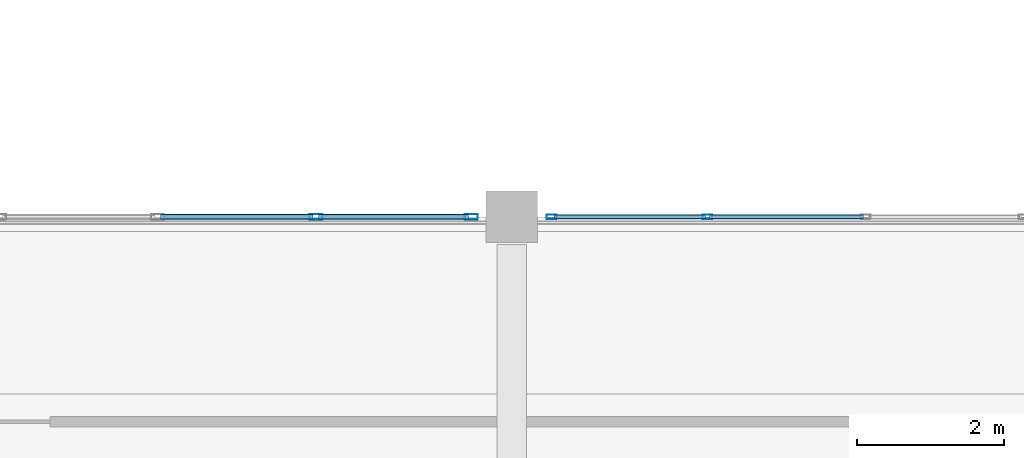
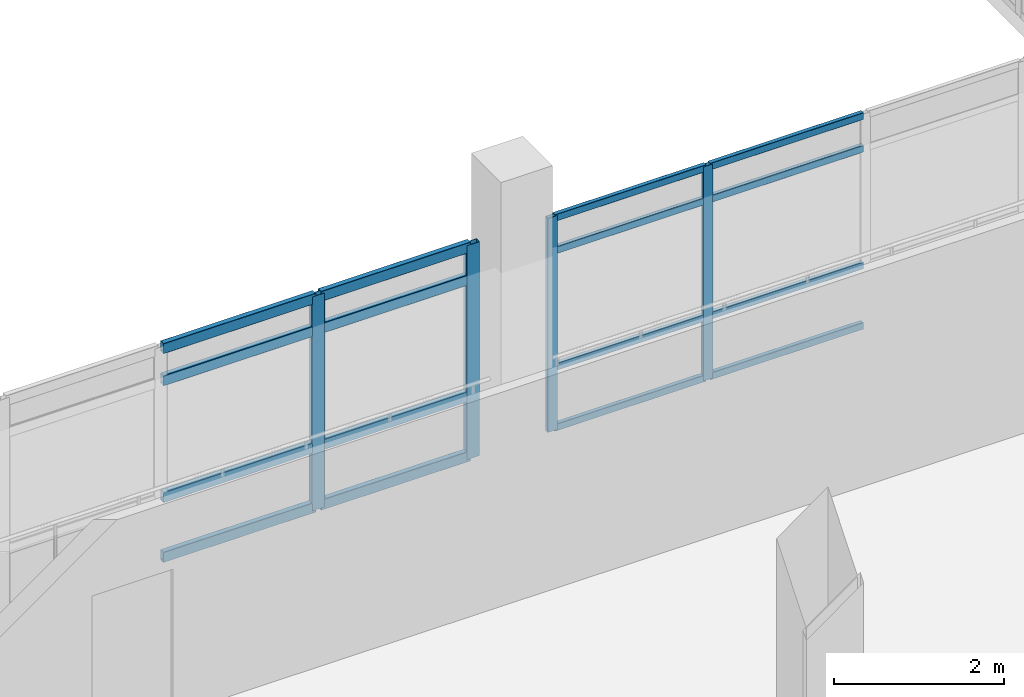
# One storey, part 40 of 134: 20 members, 2 elements without a shape of their own.
"""IFC4 building model written with IfcOpenShell, lengths in metres."""

from ifc_helpers import new_model, si_unit, direction, frame, origin, origin_2d, place, context, subcontext, project, spatial, hollow_rectangle, extrude, material, layer, layer_set, material_profile, profile_set, type_object, element, aggregate, save


model = new_model("IFC4")

# Units and contexts
model_context = context("Model", 3, precision=1e-05, world=origin(), true_north=direction((0.0, 1.0)))
body_context = subcontext(model_context, "Body", "Model", "MODEL_VIEW")
ifc_project = project(units=[si_unit("LENGTHUNIT", "METRE"), si_unit("AREAUNIT", "SQUARE_METRE"), si_unit("VOLUMEUNIT", "CUBIC_METRE"), si_unit("PLANEANGLEUNIT", "RADIAN"), si_unit("MASSUNIT", "GRAM", prefix="KILO")], contexts=[model_context])

# Site, building, storey
site_placement = place(None, origin())
site = spatial("IfcSite", under=ifc_project, at=site_placement, CompositionType="ELEMENT")
building_placement = place(site_placement, origin())
building = spatial("IfcBuilding", under=site, at=building_placement, Name="Asteropetra Specialist Clinic", CompositionType="ELEMENT")
storey_placement = place(building_placement, frame((0.0, 0.0, 8.5)))
storey = spatial("IfcBuildingStorey", under=building, at=storey_placement, Name="L02", CompositionType="ELEMENT", Elevation=8.5)

# Curtain wall, members
ifc_material_1 = material(Name="Aluminium and low-E glass", Category="aluminium")
ifc_layer_1 = layer(ifc_material_1, 0.135009765625)
ifc_layer_set_1 = layer_set([ifc_layer_1], Name="Aluminium and low-E glass")
curtain_wall_type_1 = type_object("IfcCurtainWallType", Name="CW-SYS-03", PredefinedType="USERDEFINED", material=ifc_layer_set_1)
curtain_wall_1_placement = place(storey_placement, origin())
curtain_wall_1 = element("IfcCurtainWall", 1, at=curtain_wall_1_placement, inside=storey, type_object=curtain_wall_type_1, Name="Curtain Wall CW-035", ObjectType="UNITISED CURTAIN WALL", PredefinedType="USERDEFINED")
ifc_material_2 = material(Name="Aluminium 6063-T6", Category="aluminium")
ifc_material_profile_1 = material_profile(ifc_material_2, hollow_rectangle(XDim=0.06005859375, YDim=0.135009765625, WallThickness=0.00341796875, InnerFilletRadius=0.00341796875, OuterFilletRadius=0.007080078125, at=origin_2d()), Name="MUL 135x60x3.5")
ifc_profile_set_1 = profile_set([ifc_material_profile_1], Name="Aluminium 6063-T6")
member_type_1 = type_object("IfcMemberType", Name="CWM-135x60", PredefinedType="MULLION", material=ifc_profile_set_1)
member_1_placement = place(storey_placement, frame((19.739990234375, 76.800048828125, 0.0), z_axis=(0.0, 0.0, 1.0), x_axis=(0.0, 1.0, 0.0)))
member_1 = element("IfcMember", 2, at=member_1_placement, type_object=member_type_1, Name="CW-035 mullion 1", PredefinedType="MULLION", context=body_context, shape_type="SweptSolid", body=[
    extrude(hollow_rectangle(XDim=0.06005859375, YDim=0.135009765625, WallThickness=0.00341796875, InnerFilletRadius=0.00341796875, OuterFilletRadius=0.007080078125, at=origin_2d()), origin(), (0.0, 0.0, 1.0), 3.080078125),
])
member_2_placement = place(storey_placement, frame((21.85498046875, 76.800048828125, 0.0), z_axis=(0.0, 0.0, 1.0), x_axis=(0.0, 1.0, 0.0)))
member_2 = element("IfcMember", 3, at=member_2_placement, type_object=member_type_1, Name="CW-035 mullion 2", PredefinedType="MULLION", context=body_context, shape_type="SweptSolid", body=[
    extrude(hollow_rectangle(XDim=0.06005859375, YDim=0.135009765625, WallThickness=0.00341796875, InnerFilletRadius=0.00341796875, OuterFilletRadius=0.007080078125, at=origin_2d()), origin(), (0.0, 0.0, 1.0), 3.080078125),
])

ifc_material_3 = material(Name="Aluminium and low-E glass", Category="aluminium")
ifc_layer_2 = layer(ifc_material_3, 0.14990234375)
ifc_layer_set_2 = layer_set([ifc_layer_2], Name="Aluminium and low-E glass")
curtain_wall_type_2 = type_object("IfcCurtainWallType", Name="CW-SYS-02", PredefinedType="USERDEFINED", material=ifc_layer_set_2)
curtain_wall_2_placement = place(storey_placement, origin())
curtain_wall_2 = element("IfcCurtainWall", 4, at=curtain_wall_2_placement, inside=storey, type_object=curtain_wall_type_2, Name="Curtain Wall CW-033", ObjectType="UNITISED CURTAIN WALL", PredefinedType="USERDEFINED")
ifc_material_4 = material(Name="Aluminium 6063-T6", Category="aluminium")
ifc_material_profile_2 = material_profile(ifc_material_4, hollow_rectangle(XDim=0.074951171875, YDim=0.179931640625, WallThickness=0.00390625, InnerFilletRadius=0.00390625, OuterFilletRadius=0.008056640625, at=origin_2d()), Name="MUL 180x75x4.0")
ifc_profile_set_2 = profile_set([ifc_material_profile_2], Name="Aluminium 6063-T6")
member_type_2 = type_object("IfcMemberType", Name="CWM-180x75", PredefinedType="MULLION", material=ifc_profile_set_2)
member_3_placement = place(storey_placement, frame((16.544921875, 76.800048828125, 0.0), z_axis=(0.0, 0.0, 1.0), x_axis=(0.0, 1.0, 0.0)))
member_3 = element("IfcMember", 5, at=member_3_placement, type_object=member_type_2, Name="CW-033 mullion 4", PredefinedType="MULLION", context=body_context, shape_type="SweptSolid", body=[
    extrude(hollow_rectangle(XDim=0.074951171875, YDim=0.179931640625, WallThickness=0.00390625, InnerFilletRadius=0.00390625, OuterFilletRadius=0.008056640625, at=origin_2d()), origin(), (0.0, 0.0, 1.0), 3.080078125),
])
member_4_placement = place(storey_placement, frame((18.652587890625, 76.800048828125, 0.0), z_axis=(0.0, 0.0, 1.0), x_axis=(0.0, 1.0, 0.0)))
member_4 = element("IfcMember", 6, at=member_4_placement, type_object=member_type_2, Name="CW-033 mullion 5", PredefinedType="MULLION", context=body_context, shape_type="SweptSolid", body=[
    extrude(hollow_rectangle(XDim=0.074951171875, YDim=0.179931640625, WallThickness=0.00390625, InnerFilletRadius=0.00390625, OuterFilletRadius=0.008056640625, at=origin_2d()), origin(), (0.0, 0.0, 1.0), 3.080078125),
])

# Member
ifc_material_5 = material(Name="Aluminium 6063-T6", Category="aluminium")
ifc_material_profile_3 = material_profile(ifc_material_5, hollow_rectangle(XDim=0.06005859375, YDim=0.10009765625, WallThickness=0.00341796875, InnerFilletRadius=0.00341796875, OuterFilletRadius=0.007080078125, at=origin_2d()), Name="TRN 100x60x3.5")
ifc_profile_set_3 = profile_set([ifc_material_profile_3], Name="Aluminium 6063-T6")
member_type_3 = type_object("IfcMemberType", Name="CWT-100x60", PredefinedType="USERDEFINED", material=ifc_profile_set_3)
member_5_placement = place(storey_placement, frame((19.77001953125, 76.800048828125, 0.030029296875), z_axis=(1.0, 0.0, 0.0), x_axis=(0.0, 1.0, 0.0)))
member_5 = element("IfcMember", 7, at=member_5_placement, type_object=member_type_3, Name="CW-035 transom 1.1", ObjectType="TRANSOM", PredefinedType="USERDEFINED", context=body_context, shape_type="SweptSolid", body=[
    extrude(hollow_rectangle(XDim=0.06005859375, YDim=0.10009765625, WallThickness=0.00341796875, InnerFilletRadius=0.00341796875, OuterFilletRadius=0.007080078125, at=origin_2d()), origin(), (0.0, 0.0, 1.0), 2.054931640625),
])

member_6_placement = place(storey_placement, frame((19.77001953125, 76.800048828125, 0.89990234375), z_axis=(1.0, 0.0, 0.0), x_axis=(0.0, 1.0, 0.0)))
member_6 = element("IfcMember", 8, at=member_6_placement, type_object=member_type_3, Name="CW-035 transom 1.2", ObjectType="TRANSOM", PredefinedType="USERDEFINED", context=body_context, shape_type="SweptSolid", body=[
    extrude(hollow_rectangle(XDim=0.06005859375, YDim=0.10009765625, WallThickness=0.00341796875, InnerFilletRadius=0.00341796875, OuterFilletRadius=0.007080078125, at=origin_2d()), origin(), (0.0, 0.0, 1.0), 2.054931640625),
])

member_7_placement = place(storey_placement, frame((19.77001953125, 76.800048828125, 2.580078125), z_axis=(1.0, 0.0, 0.0), x_axis=(0.0, 1.0, 0.0)))
member_7 = element("IfcMember", 9, at=member_7_placement, type_object=member_type_3, Name="CW-035 transom 1.3", ObjectType="TRANSOM", PredefinedType="USERDEFINED", context=body_context, shape_type="SweptSolid", body=[
    extrude(hollow_rectangle(XDim=0.06005859375, YDim=0.10009765625, WallThickness=0.00341796875, InnerFilletRadius=0.00341796875, OuterFilletRadius=0.007080078125, at=origin_2d()), origin(), (0.0, 0.0, 1.0), 2.054931640625),
])

member_8_placement = place(storey_placement, frame((19.77001953125, 76.800048828125, 3.050048828125), z_axis=(1.0, 0.0, 0.0), x_axis=(0.0, 1.0, 0.0)))
member_8 = element("IfcMember", 10, at=member_8_placement, type_object=member_type_3, Name="CW-035 transom 1.4", ObjectType="TRANSOM", PredefinedType="USERDEFINED", context=body_context, shape_type="SweptSolid", body=[
    extrude(hollow_rectangle(XDim=0.06005859375, YDim=0.10009765625, WallThickness=0.00341796875, InnerFilletRadius=0.00341796875, OuterFilletRadius=0.007080078125, at=origin_2d()), origin(), (0.0, 0.0, 1.0), 2.054931640625),
])

member_9_placement = place(storey_placement, frame((21.885009765625, 76.800048828125, 0.030029296875), z_axis=(1.0, 0.0, 0.0), x_axis=(0.0, 1.0, 0.0)))
member_9 = element("IfcMember", 11, at=member_9_placement, type_object=member_type_3, Name="CW-035 transom 2.1", ObjectType="TRANSOM", PredefinedType="USERDEFINED", context=body_context, shape_type="SweptSolid", body=[
    extrude(hollow_rectangle(XDim=0.06005859375, YDim=0.10009765625, WallThickness=0.00341796875, InnerFilletRadius=0.00341796875, OuterFilletRadius=0.007080078125, at=origin_2d()), origin(), (0.0, 0.0, 1.0), 2.0849609375),
])

member_10_placement = place(storey_placement, frame((21.885009765625, 76.800048828125, 0.89990234375), z_axis=(1.0, 0.0, 0.0), x_axis=(0.0, 1.0, 0.0)))
member_10 = element("IfcMember", 12, at=member_10_placement, type_object=member_type_3, Name="CW-035 transom 2.2", ObjectType="TRANSOM", PredefinedType="USERDEFINED", context=body_context, shape_type="SweptSolid", body=[
    extrude(hollow_rectangle(XDim=0.06005859375, YDim=0.10009765625, WallThickness=0.00341796875, InnerFilletRadius=0.00341796875, OuterFilletRadius=0.007080078125, at=origin_2d()), origin(), (0.0, 0.0, 1.0), 2.0849609375),
])

member_11_placement = place(storey_placement, frame((21.885009765625, 76.800048828125, 2.580078125), z_axis=(1.0, 0.0, 0.0), x_axis=(0.0, 1.0, 0.0)))
member_11 = element("IfcMember", 13, at=member_11_placement, type_object=member_type_3, Name="CW-035 transom 2.3", ObjectType="TRANSOM", PredefinedType="USERDEFINED", context=body_context, shape_type="SweptSolid", body=[
    extrude(hollow_rectangle(XDim=0.06005859375, YDim=0.10009765625, WallThickness=0.00341796875, InnerFilletRadius=0.00341796875, OuterFilletRadius=0.007080078125, at=origin_2d()), origin(), (0.0, 0.0, 1.0), 2.0849609375),
])

member_12_placement = place(storey_placement, frame((21.885009765625, 76.800048828125, 3.050048828125), z_axis=(1.0, 0.0, 0.0), x_axis=(0.0, 1.0, 0.0)))
member_12 = element("IfcMember", 14, at=member_12_placement, type_object=member_type_3, Name="CW-035 transom 2.4", ObjectType="TRANSOM", PredefinedType="USERDEFINED", context=body_context, shape_type="SweptSolid", body=[
    extrude(hollow_rectangle(XDim=0.06005859375, YDim=0.10009765625, WallThickness=0.00341796875, InnerFilletRadius=0.00341796875, OuterFilletRadius=0.007080078125, at=origin_2d()), origin(), (0.0, 0.0, 1.0), 2.0849609375),
])

aggregate(curtain_wall_1, [member_1, member_2, member_5, member_6, member_7, member_8, member_9, member_10, member_11, member_12])

ifc_material_6 = material(Name="Aluminium 6063-T6", Category="aluminium")
ifc_material_profile_4 = material_profile(ifc_material_6, hollow_rectangle(XDim=0.074951171875, YDim=0.14990234375, WallThickness=0.00390625, InnerFilletRadius=0.00390625, OuterFilletRadius=0.008056640625, at=origin_2d()), Name="TRN 150x75x4.0")
ifc_profile_set_4 = profile_set([ifc_material_profile_4], Name="Aluminium 6063-T6")
member_type_4 = type_object("IfcMemberType", Name="CWT-150x75", PredefinedType="USERDEFINED", material=ifc_profile_set_4)
member_13_placement = place(storey_placement, frame((14.4375, 76.800048828125, 0.03759765625), z_axis=(1.0, 0.0, 0.0), x_axis=(0.0, 1.0, 0.0)))
member_13 = element("IfcMember", 15, at=member_13_placement, type_object=member_type_4, Name="CW-033 transom 3.1", ObjectType="TRANSOM", PredefinedType="USERDEFINED", context=body_context, shape_type="SweptSolid", body=[
    extrude(hollow_rectangle(XDim=0.074951171875, YDim=0.14990234375, WallThickness=0.00390625, InnerFilletRadius=0.00390625, OuterFilletRadius=0.008056640625, at=origin_2d()), origin(), (0.0, 0.0, 1.0), 2.070068359375),
])

member_14_placement = place(storey_placement, frame((14.4375, 76.800048828125, 0.89990234375), z_axis=(1.0, 0.0, 0.0), x_axis=(0.0, 1.0, 0.0)))
member_14 = element("IfcMember", 16, at=member_14_placement, type_object=member_type_4, Name="CW-033 transom 3.2", ObjectType="TRANSOM", PredefinedType="USERDEFINED", context=body_context, shape_type="SweptSolid", body=[
    extrude(hollow_rectangle(XDim=0.074951171875, YDim=0.14990234375, WallThickness=0.00390625, InnerFilletRadius=0.00390625, OuterFilletRadius=0.008056640625, at=origin_2d()), origin(), (0.0, 0.0, 1.0), 2.070068359375),
])

member_15_placement = place(storey_placement, frame((14.4375, 76.800048828125, 2.580078125), z_axis=(1.0, 0.0, 0.0), x_axis=(0.0, 1.0, 0.0)))
member_15 = element("IfcMember", 17, at=member_15_placement, type_object=member_type_4, Name="CW-033 transom 3.3", ObjectType="TRANSOM", PredefinedType="USERDEFINED", context=body_context, shape_type="SweptSolid", body=[
    extrude(hollow_rectangle(XDim=0.074951171875, YDim=0.14990234375, WallThickness=0.00390625, InnerFilletRadius=0.00390625, OuterFilletRadius=0.008056640625, at=origin_2d()), origin(), (0.0, 0.0, 1.0), 2.070068359375),
])

member_16_placement = place(storey_placement, frame((14.4375, 76.800048828125, 3.04248046875), z_axis=(1.0, 0.0, 0.0), x_axis=(0.0, 1.0, 0.0)))
member_16 = element("IfcMember", 18, at=member_16_placement, type_object=member_type_4, Name="CW-033 transom 3.4", ObjectType="TRANSOM", PredefinedType="USERDEFINED", context=body_context, shape_type="SweptSolid", body=[
    extrude(hollow_rectangle(XDim=0.074951171875, YDim=0.14990234375, WallThickness=0.00390625, InnerFilletRadius=0.00390625, OuterFilletRadius=0.008056640625, at=origin_2d()), origin(), (0.0, 0.0, 1.0), 2.070068359375),
])

member_17_placement = place(storey_placement, frame((16.58251953125, 76.800048828125, 0.03759765625), z_axis=(1.0, 0.0, 0.0), x_axis=(0.0, 1.0, 0.0)))
member_17 = element("IfcMember", 19, at=member_17_placement, type_object=member_type_4, Name="CW-033 transom 4.1", ObjectType="TRANSOM", PredefinedType="USERDEFINED", context=body_context, shape_type="SweptSolid", body=[
    extrude(hollow_rectangle(XDim=0.074951171875, YDim=0.14990234375, WallThickness=0.00390625, InnerFilletRadius=0.00390625, OuterFilletRadius=0.008056640625, at=origin_2d()), origin(), (0.0, 0.0, 1.0), 2.032470703125),
])

member_18_placement = place(storey_placement, frame((16.58251953125, 76.800048828125, 0.89990234375), z_axis=(1.0, 0.0, 0.0), x_axis=(0.0, 1.0, 0.0)))
member_18 = element("IfcMember", 20, at=member_18_placement, type_object=member_type_4, Name="CW-033 transom 4.2", ObjectType="TRANSOM", PredefinedType="USERDEFINED", context=body_context, shape_type="SweptSolid", body=[
    extrude(hollow_rectangle(XDim=0.074951171875, YDim=0.14990234375, WallThickness=0.00390625, InnerFilletRadius=0.00390625, OuterFilletRadius=0.008056640625, at=origin_2d()), origin(), (0.0, 0.0, 1.0), 2.032470703125),
])

member_19_placement = place(storey_placement, frame((16.58251953125, 76.800048828125, 2.580078125), z_axis=(1.0, 0.0, 0.0), x_axis=(0.0, 1.0, 0.0)))
member_19 = element("IfcMember", 21, at=member_19_placement, type_object=member_type_4, Name="CW-033 transom 4.3", ObjectType="TRANSOM", PredefinedType="USERDEFINED", context=body_context, shape_type="SweptSolid", body=[
    extrude(hollow_rectangle(XDim=0.074951171875, YDim=0.14990234375, WallThickness=0.00390625, InnerFilletRadius=0.00390625, OuterFilletRadius=0.008056640625, at=origin_2d()), origin(), (0.0, 0.0, 1.0), 2.032470703125),
])

member_20_placement = place(storey_placement, frame((16.58251953125, 76.800048828125, 3.04248046875), z_axis=(1.0, 0.0, 0.0), x_axis=(0.0, 1.0, 0.0)))
member_20 = element("IfcMember", 22, at=member_20_placement, type_object=member_type_4, Name="CW-033 transom 4.4", ObjectType="TRANSOM", PredefinedType="USERDEFINED", context=body_context, shape_type="SweptSolid", body=[
    extrude(hollow_rectangle(XDim=0.074951171875, YDim=0.14990234375, WallThickness=0.00390625, InnerFilletRadius=0.00390625, OuterFilletRadius=0.008056640625, at=origin_2d()), origin(), (0.0, 0.0, 1.0), 2.032470703125),
])

aggregate(curtain_wall_2, [member_3, member_4, member_13, member_14, member_15, member_16, member_17, member_18, member_19, member_20])

save(model, "model.ifc")
